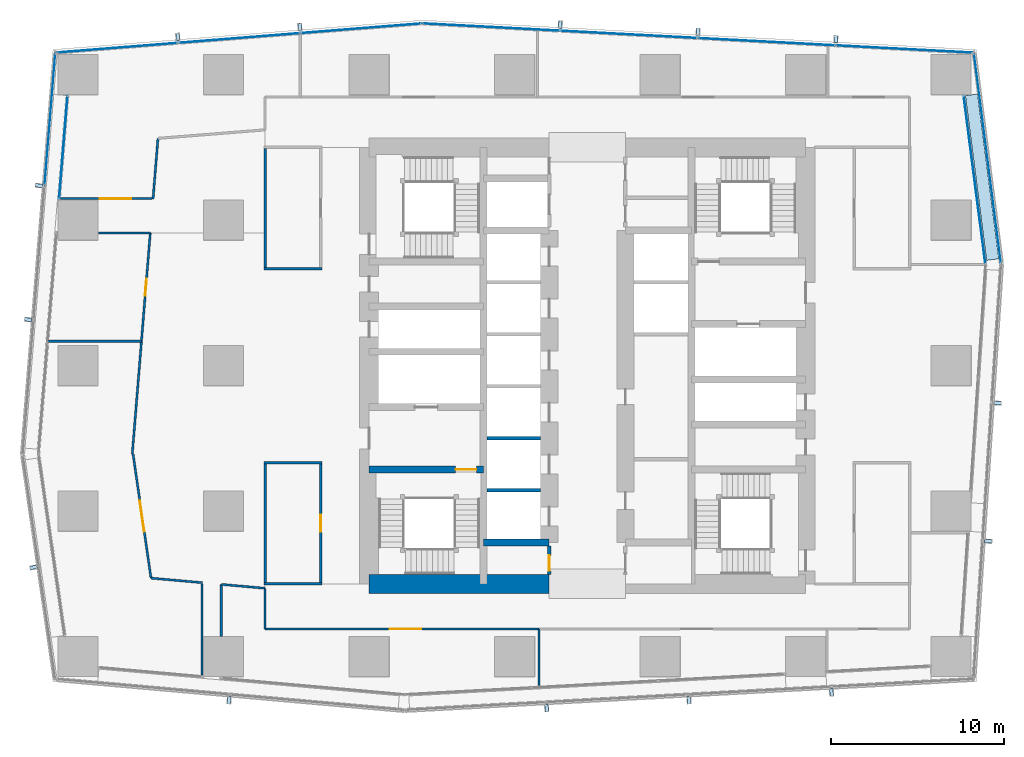
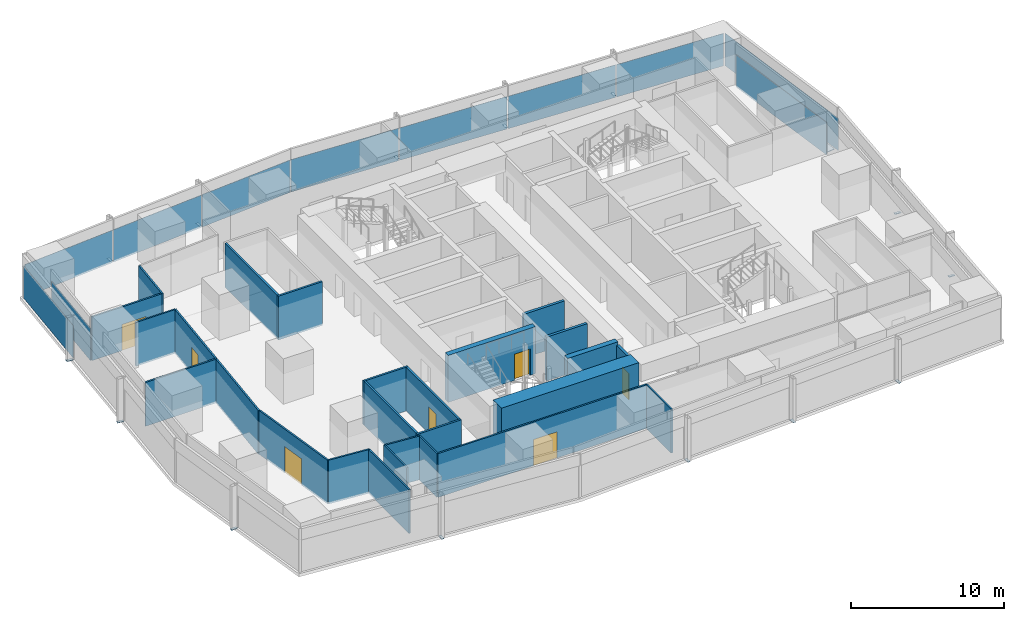
# One storey, part 21 of 32: 26 plates, 26 walls, 7 doors, 7 openings, 6 elements without a shape of their own.
"""IFC4 building model written with IfcOpenShell, lengths in metres."""

from ifc_helpers import new_model, si_unit, direction, frame, frame_2d, origin, origin_2d, place, context, subcontext, project, spatial, rectangle, extrude, material, layer, layer_set, type_object, element, fill, aggregate, save


model = new_model("IFC4")

# Units and contexts
model_context = context("Model", 3, precision=1e-05, world=origin(), true_north=direction((0.0, 1.0)))
body_context = subcontext(model_context, "Body", "Model", "MODEL_VIEW")
ifc_project = project(units=[si_unit("LENGTHUNIT", "METRE"), si_unit("AREAUNIT", "SQUARE_METRE"), si_unit("VOLUMEUNIT", "CUBIC_METRE"), si_unit("PLANEANGLEUNIT", "RADIAN"), si_unit("MASSUNIT", "GRAM", prefix="KILO")], contexts=[model_context])

# Site, building, storey
site_placement = place(None, origin())
site = spatial("IfcSite", under=ifc_project, at=site_placement, CompositionType="ELEMENT")
building_placement = place(site_placement, origin())
building = spatial("IfcBuilding", under=site, at=building_placement, Name="Rekha Terrace Tower", CompositionType="ELEMENT")
storey_placement = place(building_placement, frame((0.0, 0.0, 250.10009765625)))
storey = spatial("IfcBuildingStorey", under=building, at=storey_placement, Name="L63", CompositionType="ELEMENT", Elevation=250.10009765625)

# Plates
ifc_material_1 = material(Name="Steel S355 fixing plate bolted to the slab", Category="steel")
ifc_layer_1 = layer(ifc_material_1, 0.02001953125)
ifc_layer_set_1 = layer_set([ifc_layer_1], Name="Steel S355 fixing plate bolted to the slab")
plate_type_1 = type_object("IfcPlateType", Name="BL2 blade bracket plate 200 x 20", PredefinedType="USERDEFINED", material=ifc_layer_set_1)
for number, where, z_axis, x_axis, name in (
    (1, (17.1201171875, 14.285400390625, 0.0), (0.0, 0.0, 1.0), (-0.088522268879, -0.996074197996, 0.0), "Blade bracket"),
    (2, (35.447509765625, 13.8388671875, 0.0), (0.0, 0.0, 1.0), (0.054389024366, -0.99851982155, 0.0), "Blade bracket"),
    (3, (43.670654296875, 14.28662109375, 0.0), (0.0, 0.0, 1.0), (0.054389024366, -0.99851982155, 0.0), "Blade bracket"),
    (4, (51.893798828125, 14.734619140625, 0.0), (0.0, 0.0, 1.0), (0.054389024366, -0.99851982155, 0.0), "Blade bracket"),
    (5, (60.948974609375, 23.45849609375, 0.0), (0.0, 0.0, 1.0), (0.99780158396, -0.066272158908, 0.0), "Blade bracket"),
    (6, (61.478759765625, 31.436279296875, 0.0), (0.0, 0.0, 1.0), (0.99780158396, -0.066272158908, 0.0), "Blade bracket"),
    (7, (52.14208984375, 52.441162109375, 0.0), (0.0, 0.0, 1.0), (0.053083661621, 0.998590068481, 0.0), "Blade bracket"),
    (8, (44.19189453125, 52.86376953125, 0.0), (0.0, 0.0, 1.0), (0.053083661621, 0.998590068481, 0.0), "Blade bracket"),
    (9, (36.24169921875, 53.28662109375, 0.0), (0.0, 0.0, 1.0), (0.053083661621, 0.998590068481, 0.0), "Blade bracket"),
    (10, (21.1982421875, 53.146484375, 0.0), (0.0, 0.0, 1.0), (-0.079485623849, 0.996836012392, 0.0), "Blade bracket"),
    (11, (14.152587890625, 52.584716796875, 0.0), (0.0, 0.0, 1.0), (-0.079485623849, 0.996836012392, 0.0), "Blade bracket"),
    (12, (6.150390625, 43.99169921875, 0.0), (0.0, 0.0, 1.0), (-0.996708512156, 0.081068747348, 0.0), "Blade bracket"),
    (13, (5.521240234375, 36.25634765625, 0.0), (0.0, 0.0, 1.0), (-0.996708512156, 0.081068747348, 0.0), "Blade bracket"),
    (14, (5.833984375, 21.95068359375, 0.0), (0.0, 0.0, 1.0), (-0.989706910627, -0.143109157841, 0.0), "Blade bracket"),
):
    element("IfcPlate", number, at=place(storey_placement, frame(where, z_axis=z_axis, x_axis=x_axis)), inside=storey, type_object=plate_type_1, Name=name, ObjectType="BLADE BRACKET", PredefinedType="USERDEFINED", context=body_context, shape_type="SweptSolid", body=[
        extrude(rectangle(XDim=0.429931640625, YDim=0.199951171875, at=origin_2d()), origin(), (0.0, 0.0, 1.0), 0.02001953125),
    ])

# Curtain wall, plate
ifc_material_2 = material(Name="Aluminium framing", Category="aluminium")
curtain_wall_type_1 = type_object("IfcCurtainWallType", Name="CW1 double skin inner glazing", PredefinedType="USERDEFINED", material=ifc_material_2)
curtain_wall_1_placement = place(storey_placement, origin())
curtain_wall_1 = element("IfcCurtainWall", 15, at=curtain_wall_1_placement, inside=storey, type_object=curtain_wall_type_1, Name="CW1 double skin inner glazing", ObjectType="DOUBLE SKIN INNER GLAZING", PredefinedType="USERDEFINED")
ifc_material_3 = material(Name="Double-glazed low-e unit 32", Category="glass")
ifc_layer_2 = layer(ifc_material_3, 0.031982421875)
ifc_layer_set_2 = layer_set([ifc_layer_2], Name="Double-glazed low-e unit 32")
plate_type_2 = type_object("IfcPlateType", Name="CW1 jumbo vision panel, double-glazed low-e unit 32", PredefinedType="CURTAIN_PANEL", material=ifc_layer_set_2)
plate_1_placement = place(storey_placement, frame((60.153076171875, 44.3125, -0.000244140625), z_axis=(0.0, 0.0, 1.0), x_axis=(-0.127869904852, 0.991790949461, 0.0)))
plate_1 = element("IfcPlate", 16, at=plate_1_placement, type_object=plate_type_2, Name="CW1 panel 1.1", PredefinedType="CURTAIN_PANEL", context=body_context, shape_type="SweptSolid", body=[
    extrude(rectangle(XDim=9.76220703125, YDim=0.031982421875, at=origin_2d()), origin(), (0.0, 0.0, 1.0), 2.60009765625),
])
aggregate(curtain_wall_1, [plate_1])

curtain_wall_2_placement = place(storey_placement, origin())
curtain_wall_2 = element("IfcCurtainWall", 17, at=curtain_wall_2_placement, inside=storey, type_object=curtain_wall_type_1, Name="CW1 double skin inner glazing", ObjectType="DOUBLE SKIN INNER GLAZING", PredefinedType="USERDEFINED")
plate_2_placement = place(storey_placement, frame((7.553955078125, 46.199951171875, -0.000244140625), z_axis=(0.0, 0.0, 1.0), x_axis=(-0.081067906903, -0.996708580514, 0.0)))
plate_2 = element("IfcPlate", 18, at=plate_2_placement, type_object=plate_type_2, Name="CW1 panel 1.1", PredefinedType="CURTAIN_PANEL", context=body_context, shape_type="SweptSolid", body=[
    extrude(rectangle(XDim=5.9345703125, YDim=0.031982421875, at=origin_2d()), origin(), (0.0, 0.0, 1.0), 2.60009765625),
])
aggregate(curtain_wall_2, [plate_2])

curtain_wall_type_2 = type_object("IfcCurtainWallType", Name="CW2 double skin outer glazing", PredefinedType="USERDEFINED", material=ifc_material_2)
curtain_wall_3_placement = place(storey_placement, origin())
curtain_wall_3 = element("IfcCurtainWall", 19, at=curtain_wall_3_placement, inside=storey, type_object=curtain_wall_type_2, Name="CW2 double skin outer glazing", ObjectType="DOUBLE SKIN OUTER GLAZING", PredefinedType="USERDEFINED")
ifc_material_4 = material(Name="Toughened single glazing 12", Category="glass")
ifc_layer_3 = layer(ifc_material_4, 0.011962890625)
ifc_layer_set_3 = layer_set([ifc_layer_3], Name="Toughened single glazing 12")
plate_type_3 = type_object("IfcPlateType", Name="CW2 jumbo vision panel, toughened single glazing 12", PredefinedType="CURTAIN_PANEL", material=ifc_layer_set_3)
plate_3_placement = place(storey_placement, frame((60.89892578125, 45.566162109375, -0.000244140625), z_axis=(0.0, 0.0, 1.0), x_axis=(-0.12786990487, 0.991790949459, 0.0)))
plate_3 = element("IfcPlate", 20, at=plate_3_placement, type_object=plate_type_3, Name="CW2 panel 1.1", PredefinedType="CURTAIN_PANEL", context=body_context, shape_type="SweptSolid", body=[
    extrude(rectangle(XDim=12.203857421875, YDim=0.011962890625, at=origin_2d()), origin(), (0.0, 0.0, 1.0), 2.60009765625),
])
aggregate(curtain_wall_3, [plate_3])

curtain_wall_4_placement = place(storey_placement, origin())
curtain_wall_4 = element("IfcCurtainWall", 21, at=curtain_wall_4_placement, inside=storey, type_object=curtain_wall_type_2, Name="CW2 double skin outer glazing", ObjectType="DOUBLE SKIN OUTER GLAZING", PredefinedType="USERDEFINED")
plate_4_placement = place(storey_placement, frame((6.7822265625, 47.813720703125, -0.000244140625), z_axis=(0.0, 0.0, 1.0), x_axis=(-0.081067906816, -0.996708580521, 0.0)))
plate_4 = element("IfcPlate", 22, at=plate_4_placement, type_object=plate_type_3, Name="CW2 panel 1.1", PredefinedType="CURTAIN_PANEL", context=body_context, shape_type="SweptSolid", body=[
    extrude(rectangle(XDim=7.640869140625, YDim=0.011962890625, at=origin_2d()), origin(), (0.0, 0.0, 1.0), 2.60009765625),
])
aggregate(curtain_wall_4, [plate_4])

# Curtain wall, plates
curtain_wall_type_3 = type_object("IfcCurtainWallType", Name="CW3 north unitised glazing", PredefinedType="USERDEFINED", material=ifc_material_2)
curtain_wall_5_placement = place(storey_placement, origin())
curtain_wall_5 = element("IfcCurtainWall", 23, at=curtain_wall_5_placement, inside=storey, type_object=curtain_wall_type_3, Name="CW3 unitised curtain wall", ObjectType="UNITISED CURTAIN WALL", PredefinedType="USERDEFINED")
ifc_material_5 = material(Name="Double-glazed unit 28", Category="glass")
ifc_layer_4 = layer(ifc_material_5, 0.028076171875)
ifc_layer_set_4 = layer_set([ifc_layer_4], Name="Double-glazed unit 28")
plate_type_4 = type_object("IfcPlateType", Name="CW3 jumbo vision panel, double-glazed unit 28", PredefinedType="CURTAIN_PANEL", material=ifc_layer_set_4)
plate_5_placement = place(storey_placement, frame((56.080322265625, 51.871337890625, -0.000244140625), z_axis=(0.0, 0.0, 1.0), x_axis=(-0.998590089005, 0.053083275524, 0.0)))
plate_5 = element("IfcPlate", 24, at=plate_5_placement, type_object=plate_type_4, Name="CW3 panel 1.1", PredefinedType="CURTAIN_PANEL", context=body_context, shape_type="SweptSolid", body=[
    extrude(rectangle(XDim=7.856201171875, YDim=0.028076171875, at=origin_2d()), origin(), (0.0, 0.0, 1.0), 2.60009765625),
])
plate_6_placement = place(storey_placement, frame((48.14794921875, 52.29296875, -0.000244140625), z_axis=(0.0, 0.0, 1.0), x_axis=(-0.998590089005, 0.053083275524, 0.0)))
plate_6 = element("IfcPlate", 25, at=plate_6_placement, type_object=plate_type_4, Name="CW3 panel 2.1", PredefinedType="CURTAIN_PANEL", context=body_context, shape_type="SweptSolid", body=[
    extrude(rectangle(XDim=7.891357421875, YDim=0.028076171875, at=origin_2d()), origin(), (0.0, 0.0, 1.0), 2.60009765625),
])
plate_7_placement = place(storey_placement, frame((40.19775390625, 52.715576171875, -0.000244140625), z_axis=(0.0, 0.0, 1.0), x_axis=(-0.998590089005, 0.053083275524, 0.0)))
plate_7 = element("IfcPlate", 26, at=plate_7_placement, type_object=plate_type_4, Name="CW3 panel 3.1", PredefinedType="CURTAIN_PANEL", context=body_context, shape_type="SweptSolid", body=[
    extrude(rectangle(XDim=7.891357421875, YDim=0.028076171875, at=origin_2d()), origin(), (0.0, 0.0, 1.0), 2.60009765625),
])
plate_8_placement = place(storey_placement, frame((32.230224609375, 53.13916015625, -0.000244140625), z_axis=(0.0, 0.0, 1.0), x_axis=(-0.998590089005, 0.053083275524, 0.0)))
plate_8 = element("IfcPlate", 27, at=plate_8_placement, type_object=plate_type_4, Name="CW3 panel 4.1", PredefinedType="CURTAIN_PANEL", context=body_context, shape_type="SweptSolid", body=[
    extrude(rectangle(XDim=7.92626953125, YDim=0.028076171875, at=origin_2d()), origin(), (0.0, 0.0, 1.0), 2.60009765625),
])
aggregate(curtain_wall_5, [plate_5, plate_6, plate_7, plate_8])

curtain_wall_6_placement = place(storey_placement, origin())
curtain_wall_6 = element("IfcCurtainWall", 28, at=curtain_wall_6_placement, inside=storey, type_object=curtain_wall_type_3, Name="CW3 unitised curtain wall", ObjectType="UNITISED CURTAIN WALL", PredefinedType="USERDEFINED")
plate_9_placement = place(storey_placement, frame((24.732421875, 53.0673828125, -0.000244140625), z_axis=(0.0, 0.0, 1.0), x_axis=(-0.996836058026, -0.07948505154, 0.0)))
plate_9 = element("IfcPlate", 29, at=plate_9_placement, type_object=plate_type_4, Name="CW3 panel 1.1", PredefinedType="CURTAIN_PANEL", context=body_context, shape_type="SweptSolid", body=[
    extrude(rectangle(XDim=6.963134765625, YDim=0.028076171875, at=origin_2d()), origin(), (0.0, 0.0, 1.0), 2.60009765625),
])
plate_10_placement = place(storey_placement, frame((17.7041015625, 52.5068359375, -0.000244140625), z_axis=(0.0, 0.0, 1.0), x_axis=(-0.996836058026, -0.07948505154, 0.0)))
plate_10 = element("IfcPlate", 30, at=plate_10_placement, type_object=plate_type_4, Name="CW3 panel 2.1", PredefinedType="CURTAIN_PANEL", context=body_context, shape_type="SweptSolid", body=[
    extrude(rectangle(XDim=6.998046875, YDim=0.028076171875, at=origin_2d()), origin(), (0.0, 0.0, 1.0), 2.60009765625),
])
plate_11_placement = place(storey_placement, frame((10.67578125, 51.946533203125, -0.000244140625), z_axis=(0.0, 0.0, 1.0), x_axis=(-0.996836058026, -0.07948505154, 0.0)))
plate_11 = element("IfcPlate", 31, at=plate_11_placement, type_object=plate_type_4, Name="CW3 panel 3.1", PredefinedType="CURTAIN_PANEL", context=body_context, shape_type="SweptSolid", body=[
    extrude(rectangle(XDim=6.963134765625, YDim=0.028076171875, at=origin_2d()), origin(), (0.0, 0.0, 1.0), 2.60009765625),
])
aggregate(curtain_wall_6, [plate_9, plate_10, plate_11])

# Plate
ifc_material_6 = material(Name="Galvanised steel open grating", Category="steel")
ifc_layer_5 = layer(ifc_material_6, 0.050048828125)
ifc_layer_set_5 = layer_set([ifc_layer_5], Name="Galvanised steel open grating")
plate_type_5 = type_object("IfcPlateType", Name="GT1 cavity walkway grating 50", PredefinedType="USERDEFINED", material=ifc_layer_set_5)
plate_12_placement = place(storey_placement, frame((60.585693359375, 44.4755859375, 0.0), z_axis=(0.0, 0.0, 1.0), x_axis=(-0.127869904852, 0.991790949461, 0.0)))
element("IfcPlate", 32, at=plate_12_placement, inside=storey, type_object=plate_type_5, Name="Cavity walkway grating", ObjectType="CAVITY WALKWAY GRATING", PredefinedType="USERDEFINED", context=body_context, shape_type="SweptSolid", body=[
    extrude(rectangle(XDim=9.593017578125, YDim=0.705078125, at=origin_2d()), origin(), (0.0, 0.0, 1.0), 0.050048828125),
])

# Wall
ifc_material_7 = material(Name="Concrete M60", Category="concrete")
ifc_layer_6 = layer(ifc_material_7, 0.39990234375)
ifc_layer_set_6 = layer_set([ifc_layer_6], Name="Concrete M60")
wall_type_1 = type_object("IfcWallType", Name="CI4 400 core internal shear wall", PredefinedType="SHEAR", material=ifc_layer_set_6)
wall_1_placement = place(storey_placement, frame((31.800048828125, 23.39990234375, 0.0), z_axis=(0.0, 0.0, 1.0), x_axis=(1.0, 0.0, 0.0)))
element("IfcWall", 33, at=wall_1_placement, inside=storey, type_object=wall_type_1, Name="Core wall Y234W L63", PredefinedType="SHEAR", context=body_context, shape_type="SweptSolid", body=[
    extrude(rectangle(XDim=3.800048828125, YDim=0.39990234375, at=frame_2d((1.89990234375, 0.0))), origin(), (0.0, 0.0, 1.0), 3.75),
])

# Wall, opening, door
wall_2_placement = place(storey_placement, frame((25.199951171875, 27.60009765625, 0.0), z_axis=(0.0, 0.0, 1.0), x_axis=(1.0, 0.0, 0.0)))
wall_2 = element("IfcWall", 34, at=wall_2_placement, inside=storey, type_object=wall_type_1, Name="Core wall Y276W L63", PredefinedType="SHEAR", context=body_context, shape_type="SweptSolid", body=[
    extrude(rectangle(XDim=6.60009765625, YDim=0.39990234375, at=frame_2d((3.300048828125, 0.0))), origin(), (0.0, 0.0, 1.0), 3.75),
])
opening_1_placement = place(wall_2_placement, frame((5.0, 0.0, 0.0)))
opening_1 = element("IfcOpeningElement", 35, at=opening_1_placement, cuts=wall_2, Name="Opening D1", PredefinedType="OPENING", context=body_context, shape_type="SweptSolid", body=[
    extrude(rectangle(XDim=1.199951171875, YDim=2.10009765625, at=frame_2d((0.60009765625, 1.050048828125))), frame((0.0, 0.2099609375, 0.0), z_axis=(0.0, -1.0, 0.0), x_axis=(1.0, 0.0, 0.0)), (0.0, 0.0, 1.0), 0.419921875),
])
ifc_material_8 = material(Name="Steel fire door", Category="steel")
door_type_1 = type_object("IfcDoorType", Name="D1 1200x2100 stair fire door", OperationType="SINGLE_SWING_RIGHT", PredefinedType="DOOR", material=ifc_material_8)
door_1_placement = place(opening_1_placement, origin())
door_1 = element("IfcDoor", 36, at=door_1_placement, inside=storey, type_object=door_type_1, Name="Stair ST1 door L63", OperationType="SINGLE_SWING_RIGHT", OverallHeight=2.10009765625, OverallWidth=1.199951171875, PredefinedType="DOOR", context=body_context, shape_type="SweptSolid", body=[
    extrude(rectangle(XDim=1.199951171875, YDim=2.10009765625, at=frame_2d((0.60009765625, 1.050048828125))), frame((0.0, 0.02490234375, 0.0), z_axis=(0.0, -1.0, 0.0), x_axis=(1.0, 0.0, 0.0)), (0.0, 0.0, 1.0), 0.050048828125),
])
fill(opening_1, door_1)

# Walls
ifc_layer_7 = layer(ifc_material_7, 1.10009765625)
ifc_layer_set_7 = layer_set([ifc_layer_7], Name="Concrete M60")
wall_type_2 = type_object("IfcWallType", Name="SW4 1100 core outer shear wall", PredefinedType="SHEAR", material=ifc_layer_set_7)
wall_3_placement = place(storey_placement, frame((25.199951171875, 21.0, 0.0), z_axis=(0.0, 0.0, 1.0), x_axis=(1.0, 0.0, 0.0)))
element("IfcWall", 37, at=wall_3_placement, inside=storey, type_object=wall_type_2, Name="Core wall S1 L63", PredefinedType="SHEAR", context=body_context, shape_type="SweptSolid", body=[
    extrude(rectangle(XDim=10.400146484375, YDim=1.10009765625, at=frame_2d((5.2001953125, 0.0))), origin(), (0.0, 0.0, 1.0), 3.75),
])
ifc_material_9 = material(Name="Concrete block masonry, 1 hour", Category="masonry")
ifc_layer_8 = layer(ifc_material_9, 0.14990234375)
ifc_layer_set_8 = layer_set([ifc_layer_8], Name="Concrete block masonry, 1 hour")
wall_type_3 = type_object("IfcWallType", Name="WP2 150 tenancy partition", PredefinedType="PARTITIONING", material=ifc_layer_set_8)
wall_4_placement = place(storey_placement, frame((19.125, 39.199951171875, 0.0), z_axis=(0.0, 0.0, 1.0), x_axis=(1.0, 0.0, 0.0)))
element("IfcWall", 38, at=wall_4_placement, inside=storey, type_object=wall_type_3, Name="Women's WC wall L63", PredefinedType="PARTITIONING", context=body_context, shape_type="SweptSolid", body=[
    extrude(rectangle(XDim=3.35009765625, YDim=0.14990234375, at=frame_2d((1.675048828125, 0.0))), origin(), (0.0, 0.0, 1.0), 3.5),
])
wall_5_placement = place(storey_placement, frame((19.199951171875, 39.27490234375, 0.0), z_axis=(0.0, 0.0, 1.0), x_axis=(0.0, 1.0, 0.0)))
element("IfcWall", 39, at=wall_5_placement, inside=storey, type_object=wall_type_3, Name="Women's WC wall L63", PredefinedType="PARTITIONING", context=body_context, shape_type="SweptSolid", body=[
    extrude(rectangle(XDim=6.85009765625, YDim=0.14990234375, at=frame_2d((3.425048828125, 0.0))), origin(), (0.0, 0.0, 1.0), 3.5),
])
for number, where, z_axis, x_axis, name in (
    (40, (19.125, 21.0, 0.0), (0.0, 0.0, 1.0), (1.0, 0.0, 0.0), "Men's WC wall L63"),
    (41, (19.125, 28.0, 0.0), (0.0, 0.0, 1.0), (1.0, 0.0, 0.0), "Men's WC wall L63"),
):
    element("IfcWall", number, at=place(storey_placement, frame(where, z_axis=z_axis, x_axis=x_axis)), inside=storey, type_object=wall_type_3, Name=name, PredefinedType="PARTITIONING", context=body_context, shape_type="SweptSolid", body=[
        extrude(rectangle(XDim=3.35009765625, YDim=0.14990234375, at=frame_2d((1.675048828125, 0.0))), origin(), (0.0, 0.0, 1.0), 3.5),
    ])
wall_6_placement = place(storey_placement, frame((19.199951171875, 21.074951171875, 0.0), z_axis=(0.0, 0.0, 1.0), x_axis=(0.0, 1.0, 0.0)))
element("IfcWall", 42, at=wall_6_placement, inside=storey, type_object=wall_type_3, Name="Men's WC wall L63", PredefinedType="PARTITIONING", context=body_context, shape_type="SweptSolid", body=[
    extrude(rectangle(XDim=6.85009765625, YDim=0.14990234375, at=frame_2d((3.425048828125, 0.0))), origin(), (0.0, 0.0, 1.0), 3.5),
])

# Wall, opening, door
wall_7_placement = place(storey_placement, frame((22.39990234375, 21.074951171875, 0.0), z_axis=(0.0, 0.0, 1.0), x_axis=(0.0, 1.0, 0.0)))
wall_7 = element("IfcWall", 43, at=wall_7_placement, inside=storey, type_object=wall_type_3, Name="Men's WC wall L63", PredefinedType="PARTITIONING", context=body_context, shape_type="SweptSolid", body=[
    extrude(rectangle(XDim=6.85009765625, YDim=0.14990234375, at=frame_2d((3.425048828125, 0.0))), origin(), (0.0, 0.0, 1.0), 3.5),
])
opening_2_placement = place(wall_7_placement, frame((2.925048828125, 0.0, 0.0)))
opening_2 = element("IfcOpeningElement", 44, at=opening_2_placement, cuts=wall_7, Name="Opening D3", PredefinedType="OPENING", context=body_context, shape_type="SweptSolid", body=[
    extrude(rectangle(XDim=1.0, YDim=2.10009765625, at=frame_2d((0.5, 1.050048828125))), frame((0.0, 0.0849609375, 0.0), z_axis=(0.0, -1.0, 0.0), x_axis=(1.0, 0.0, 0.0)), (0.0, 0.0, 1.0), 0.169921875),
])
ifc_material_10 = material(Name="Laminated timber fire door", Category="wood")
door_type_2 = type_object("IfcDoorType", Name="D3 1000x2100 WC door", OperationType="SINGLE_SWING_LEFT", PredefinedType="DOOR", material=ifc_material_10)
door_2_placement = place(opening_2_placement, origin())
door_2 = element("IfcDoor", 45, at=door_2_placement, inside=storey, type_object=door_type_2, Name="Door men's wc L63", OperationType="SINGLE_SWING_LEFT", OverallHeight=2.10009765625, OverallWidth=1.0, PredefinedType="DOOR", context=body_context, shape_type="SweptSolid", body=[
    extrude(rectangle(XDim=1.0, YDim=2.10009765625, at=frame_2d((0.5, 1.050048828125))), frame((0.0, 0.02490234375, 0.0), z_axis=(0.0, -1.0, 0.0), x_axis=(1.0, 0.0, 0.0)), (0.0, 0.0, 1.0), 0.050048828125),
])
fill(opening_2, door_2)

ifc_material_11 = material(Name="Two layers of fire-rated gypsum board each side on steel studs, acoustic quilt, 1 hour", Category="steel")
ifc_layer_9 = layer(ifc_material_11, 0.125)
ifc_layer_set_9 = layer_set([ifc_layer_9], Name="Two layers of fire-rated gypsum board each side on steel studs, acoustic quilt, 1 hour")
wall_type_4 = type_object("IfcWallType", Name="WP3 125 office partition", PredefinedType="PARTITIONING", material=ifc_layer_set_9)
wall_8_placement = place(storey_placement, frame((12.6689453125, 43.241943359375, 0.0), z_axis=(0.0, 0.0, 1.0), x_axis=(-1.0, 0.0, 0.0)))
wall_8 = element("IfcWall", 46, at=wall_8_placement, inside=storey, type_object=wall_type_4, Name="Partition L63-06", PredefinedType="PARTITIONING", context=body_context, shape_type="SweptSolid", body=[
    extrude(rectangle(XDim=5.27490234375, YDim=0.125, at=frame_2d((2.637451171875, 0.0))), origin(), (0.0, 0.0, 1.0), 3.5),
])
opening_3_placement = place(wall_8_placement, frame((1.2080078125, 0.0, 0.0)))
opening_3 = element("IfcOpeningElement", 47, at=opening_3_placement, cuts=wall_8, Name="Opening D8", PredefinedType="OPENING", context=body_context, shape_type="SweptSolid", body=[
    extrude(rectangle(XDim=1.800048828125, YDim=2.10009765625, at=frame_2d((0.89990234375, 1.050048828125))), frame((0.0, 0.072509765625, 0.0), z_axis=(0.0, -1.0, 0.0), x_axis=(1.0, 0.0, 0.0)), (0.0, 0.0, 1.0), 0.14501953125),
])
ifc_material_12 = material(Name="Timber fire door", Category="wood")
door_type_3 = type_object("IfcDoorType", Name="D8 1800x2100 double leaf door", OperationType="DOUBLE_DOOR_SINGLE_SWING", PredefinedType="DOOR", material=ifc_material_12)
door_3_placement = place(opening_3_placement, origin())
door_3 = element("IfcDoor", 48, at=door_3_placement, inside=storey, type_object=door_type_3, Name="Door business lounge L63", OperationType="DOUBLE_DOOR_SINGLE_SWING", OverallHeight=2.10009765625, OverallWidth=1.800048828125, PredefinedType="DOOR", context=body_context, shape_type="SweptSolid", body=[
    extrude(rectangle(XDim=1.800048828125, YDim=2.10009765625, at=frame_2d((0.89990234375, 1.050048828125))), frame((0.0, 0.02490234375, 0.0), z_axis=(0.0, -1.0, 0.0), x_axis=(1.0, 0.0, 0.0)), (0.0, 0.0, 1.0), 0.050048828125),
])
fill(opening_3, door_3)

# Walls
wall_9_placement = place(storey_placement, frame((13.013916015625, 46.716064453125, 0.0), z_axis=(0.0, 0.0, 1.0), x_axis=(-0.081017185094, -0.996712704705, 0.0)))
element("IfcWall", 49, at=wall_9_placement, inside=storey, type_object=wall_type_4, Name="Partition L63-06", PredefinedType="PARTITIONING", context=body_context, shape_type="SweptSolid", body=[
    extrude(rectangle(XDim=3.5166015625, YDim=0.125, at=frame_2d((1.75830078125, 0.0))), origin(), (0.0, 0.0, 1.0), 3.5),
])
wall_10_placement = place(storey_placement, frame((35.00390625, 15.0869140625, 0.0), z_axis=(0.0, 0.0, 1.0), x_axis=(0.0, 1.0, 0.0)))
element("IfcWall", 50, at=wall_10_placement, inside=storey, type_object=wall_type_4, Name="Partition L63-07", PredefinedType="PARTITIONING", context=body_context, shape_type="SweptSolid", body=[
    extrude(rectangle(XDim=3.31298828125, YDim=0.125, at=frame_2d((1.656494140625, 0.0))), origin(), (0.0, 0.0, 1.0), 3.5),
])

# Wall, opening, door
wall_11_placement = place(storey_placement, frame((12.569091796875, 41.24609375, 0.0), z_axis=(0.0, 0.0, 1.0), x_axis=(-0.081163543691, -0.996700797218, 0.0)))
wall_11 = element("IfcWall", 51, at=wall_11_placement, inside=storey, type_object=wall_type_4, Name="Partition L63-09", PredefinedType="PARTITIONING", context=body_context, shape_type="SweptSolid", body=[
    extrude(rectangle(XDim=6.259765625, YDim=0.125, at=frame_2d((3.1298828125, 0.0))), origin(), (0.0, 0.0, 1.0), 3.5),
])
opening_4_placement = place(wall_11_placement, frame((2.6298828125, 0.0, 0.0)))
opening_4 = element("IfcOpeningElement", 52, at=opening_4_placement, cuts=wall_11, Name="Opening D9", PredefinedType="OPENING", context=body_context, shape_type="SweptSolid", body=[
    extrude(rectangle(XDim=1.0, YDim=2.10009765625, at=frame_2d((0.5, 1.050048828125))), frame((0.0, 0.072509765625, 0.0), z_axis=(0.0, -1.0, 0.0), x_axis=(1.0, 0.0, 0.0)), (0.0, 0.0, 1.0), 0.14501953125),
])
door_type_4 = type_object("IfcDoorType", Name="D9 1000x2100 office door", OperationType="SINGLE_SWING_LEFT", PredefinedType="DOOR", material=ifc_material_12)
door_4_placement = place(opening_4_placement, origin())
door_4 = element("IfcDoor", 53, at=door_4_placement, inside=storey, type_object=door_type_4, Name="Door executive dining L63", OperationType="SINGLE_SWING_LEFT", OverallHeight=2.10009765625, OverallWidth=1.0, PredefinedType="DOOR", context=body_context, shape_type="SweptSolid", body=[
    extrude(rectangle(XDim=1.0, YDim=2.10009765625, at=frame_2d((0.5, 1.050048828125))), frame((0.0, 0.02490234375, 0.0), z_axis=(0.0, -1.0, 0.0), x_axis=(1.0, 0.0, 0.0)), (0.0, 0.0, 1.0), 0.050048828125),
])
fill(opening_4, door_4)

# Walls
wall_12_placement = place(storey_placement, frame((12.06103515625, 35.007080078125, 0.0), z_axis=(0.0, 0.0, 1.0), x_axis=(-1.0, 0.0, 0.0)))
element("IfcWall", 54, at=wall_12_placement, inside=storey, type_object=wall_type_4, Name="Partition L63-09", PredefinedType="PARTITIONING", context=body_context, shape_type="SweptSolid", body=[
    extrude(rectangle(XDim=5.366943359375, YDim=0.125, at=frame_2d((2.68359375, 0.0))), origin(), (0.0, 0.0, 1.0), 3.5),
])
wall_13_placement = place(storey_placement, frame((9.570068359375, 41.24609375, 0.0), z_axis=(0.0, 0.0, 1.0), x_axis=(1.0, 0.0, 0.0)))
element("IfcWall", 55, at=wall_13_placement, inside=storey, type_object=wall_type_4, Name="Partition L63-09", PredefinedType="PARTITIONING", context=body_context, shape_type="SweptSolid", body=[
    extrude(rectangle(XDim=2.9990234375, YDim=0.125, at=frame_2d((1.49951171875, 0.0))), origin(), (0.0, 0.0, 1.0), 3.5),
])
wall_14_placement = place(storey_placement, frame((12.06103515625, 35.006103515625, 0.0), z_axis=(0.0, 0.0, 1.0), x_axis=(-0.081085632838, -0.996707138606, 0.0)))
element("IfcWall", 56, at=wall_14_placement, inside=storey, type_object=wall_type_4, Name="Partition L63-10", PredefinedType="PARTITIONING", context=body_context, shape_type="SweptSolid", body=[
    extrude(rectangle(XDim=6.53662109375, YDim=0.125, at=frame_2d((3.268310546875, 0.0))), origin(), (0.0, 0.0, 1.0), 3.5),
])

# Wall, opening, door
wall_15_placement = place(storey_placement, frame((11.577880859375, 28.487060546875, 0.0), z_axis=(0.0, 0.0, 1.0), x_axis=(0.143071412146, -0.989712367825, 0.0)))
wall_15 = element("IfcWall", 57, at=wall_15_placement, inside=storey, type_object=wall_type_4, Name="Partition L63-10", PredefinedType="PARTITIONING", context=body_context, shape_type="SweptSolid", body=[
    extrude(rectangle(XDim=7.228515625, YDim=0.125, at=frame_2d((3.6142578125, 0.0))), origin(), (0.0, 0.0, 1.0), 3.5),
])
opening_5_placement = place(wall_15_placement, frame((2.7119140625, 0.0, 0.0)))
opening_5 = element("IfcOpeningElement", 58, at=opening_5_placement, cuts=wall_15, Name="Opening D8", PredefinedType="OPENING", context=body_context, shape_type="SweptSolid", body=[
    extrude(rectangle(XDim=1.800048828125, YDim=2.10009765625, at=frame_2d((0.89990234375, 1.050048828125))), frame((0.0, 0.072509765625, 0.0), z_axis=(0.0, -1.0, 0.0), x_axis=(1.0, 0.0, 0.0)), (0.0, 0.0, 1.0), 0.14501953125),
])
door_5_placement = place(opening_5_placement, origin())
door_5 = element("IfcDoor", 59, at=door_5_placement, inside=storey, type_object=door_type_3, Name="Door business lounge L63", OperationType="DOUBLE_DOOR_SINGLE_SWING", OverallHeight=2.10009765625, OverallWidth=1.800048828125, PredefinedType="DOOR", context=body_context, shape_type="SweptSolid", body=[
    extrude(rectangle(XDim=1.800048828125, YDim=2.10009765625, at=frame_2d((0.89990234375, 1.050048828125))), frame((0.0, 0.02490234375, 0.0), z_axis=(0.0, -1.0, 0.0), x_axis=(1.0, 0.0, 0.0)), (0.0, 0.0, 1.0), 0.050048828125),
])
fill(opening_5, door_5)

# Walls
wall_16_placement = place(storey_placement, frame((12.612060546875, 21.3330078125, 0.0), z_axis=(0.0, 0.0, 1.0), x_axis=(0.996064792479, -0.088628038366, 0.0)))
element("IfcWall", 60, at=wall_16_placement, inside=storey, type_object=wall_type_4, Name="Partition L63-10", PredefinedType="PARTITIONING", context=body_context, shape_type="SweptSolid", body=[
    extrude(rectangle(XDim=2.98876953125, YDim=0.125, at=frame_2d((1.494384765625, 0.0))), origin(), (0.0, 0.0, 1.0), 3.5),
])
wall_17_placement = place(storey_placement, frame((15.55810546875, 21.008056640625, 0.0), z_axis=(0.0, 0.0, 1.0), x_axis=(0.0, -1.0, 0.0)))
element("IfcWall", 61, at=wall_17_placement, inside=storey, type_object=wall_type_4, Name="Partition L63-10", PredefinedType="PARTITIONING", context=body_context, shape_type="SweptSolid", body=[
    extrude(rectangle(XDim=5.278076171875, YDim=0.125, at=frame_2d((2.63916015625, 0.0))), origin(), (0.0, 0.0, 1.0), 3.5),
])
wall_18_placement = place(storey_placement, frame((16.666015625, 17.969970703125, 0.0), z_axis=(0.0, 0.0, 1.0), x_axis=(0.0, 1.0, 0.0)))
element("IfcWall", 62, at=wall_18_placement, inside=storey, type_object=wall_type_4, Name="Partition L63-11", PredefinedType="PARTITIONING", context=body_context, shape_type="SweptSolid", body=[
    extrude(rectangle(XDim=3.001953125, YDim=0.125, at=frame_2d((1.5009765625, 0.0))), origin(), (0.0, 0.0, 1.0), 3.5),
])
wall_19_placement = place(storey_placement, frame((16.666015625, 20.971923828125, 0.0), z_axis=(0.0, 0.0, 1.0), x_axis=(0.996085983525, -0.08838955495, 0.0)))
element("IfcWall", 63, at=wall_19_placement, inside=storey, type_object=wall_type_4, Name="Partition L63-11", PredefinedType="PARTITIONING", context=body_context, shape_type="SweptSolid", body=[
    extrude(rectangle(XDim=2.5439453125, YDim=0.125, at=frame_2d((1.27197265625, 0.0))), origin(), (0.0, 0.0, 1.0), 3.5),
])
wall_20_placement = place(storey_placement, frame((19.199951171875, 20.7470703125, 0.0), z_axis=(0.0, 0.0, 1.0), x_axis=(0.0, -1.0, 0.0)))
element("IfcWall", 64, at=wall_20_placement, inside=storey, type_object=wall_type_4, Name="Partition L63-11", PredefinedType="PARTITIONING", context=body_context, shape_type="SweptSolid", body=[
    extrude(rectangle(XDim=2.34716796875, YDim=0.125, at=frame_2d((1.173583984375, 0.0))), origin(), (0.0, 0.0, 1.0), 3.5),
])

# Wall, opening, door
wall_21_placement = place(storey_placement, frame((19.199951171875, 18.39990234375, 0.0), z_axis=(0.0, 0.0, 1.0), x_axis=(1.0, 0.0, 0.0)))
wall_21 = element("IfcWall", 65, at=wall_21_placement, inside=storey, type_object=wall_type_4, Name="Partition L63-11", PredefinedType="PARTITIONING", context=body_context, shape_type="SweptSolid", body=[
    extrude(rectangle(XDim=15.802978515625, YDim=0.125, at=frame_2d((7.9013671875, 0.0))), origin(), (0.0, 0.0, 1.0), 3.5),
])
opening_6_placement = place(wall_21_placement, frame((7.200927734375, 0.0, 0.0)))
opening_6 = element("IfcOpeningElement", 66, at=opening_6_placement, cuts=wall_21, Name="Opening D8", PredefinedType="OPENING", context=body_context, shape_type="SweptSolid", body=[
    extrude(rectangle(XDim=1.800048828125, YDim=2.10009765625, at=frame_2d((0.89990234375, 1.050048828125))), frame((0.0, 0.072509765625, 0.0), z_axis=(0.0, -1.0, 0.0), x_axis=(1.0, 0.0, 0.0)), (0.0, 0.0, 1.0), 0.14501953125),
])
door_6_placement = place(opening_6_placement, origin())
door_6 = element("IfcDoor", 67, at=door_6_placement, inside=storey, type_object=door_type_3, Name="Door breakout lounge L63", OperationType="DOUBLE_DOOR_SINGLE_SWING", OverallHeight=2.10009765625, OverallWidth=1.800048828125, PredefinedType="DOOR", context=body_context, shape_type="SweptSolid", body=[
    extrude(rectangle(XDim=1.800048828125, YDim=2.10009765625, at=frame_2d((0.89990234375, 1.050048828125))), frame((0.0, 0.02490234375, 0.0), z_axis=(0.0, -1.0, 0.0), x_axis=(1.0, 0.0, 0.0)), (0.0, 0.0, 1.0), 0.050048828125),
])
fill(opening_6, door_6)

# Walls
ifc_material_13 = material(Name="Solid concrete block masonry, 2 hour", Category="masonry")
ifc_layer_10 = layer(ifc_material_13, 0.199951171875)
ifc_layer_set_10 = layer_set([ifc_layer_10], Name="Solid concrete block masonry, 2 hour")
wall_type_5 = type_object("IfcWallType", Name="WS1 200 stair and shaft enclosure", PredefinedType="PARTITIONING", material=ifc_layer_set_10)
for number, where, z_axis, x_axis, name in (
    (68, (32.0, 26.39990234375, 0.0), (0.0, 0.0, 1.0), (1.0, 0.0, 0.0), "Lift shaft divider L63"),
    (69, (32.0, 29.39990234375, 0.0), (0.0, 0.0, 1.0), (1.0, 0.0, 0.0), "Lift shaft divider L63"),
):
    element("IfcWall", number, at=place(storey_placement, frame(where, z_axis=z_axis, x_axis=x_axis)), inside=storey, type_object=wall_type_5, Name=name, PredefinedType="PARTITIONING", context=body_context, shape_type="SweptSolid", body=[
        extrude(rectangle(XDim=3.10009765625, YDim=0.199951171875, at=frame_2d((1.550048828125, 0.0))), origin(), (0.0, 0.0, 1.0), 3.5),
    ])

# Wall, opening, door
wall_22_placement = place(storey_placement, frame((35.60009765625, 21.550048828125, 0.0), z_axis=(0.0, 0.0, 1.0), x_axis=(0.0, 1.0, 0.0)))
wall_22 = element("IfcWall", 70, at=wall_22_placement, inside=storey, type_object=wall_type_5, Name="Core partition west L63", PredefinedType="PARTITIONING", context=body_context, shape_type="SweptSolid", body=[
    extrude(rectangle(XDim=1.64990234375, YDim=0.199951171875, at=frame_2d((0.824951171875, 0.0))), origin(), (0.0, 0.0, 1.0), 3.5),
])
opening_7_placement = place(wall_22_placement, frame((0.199951171875, 0.0, 0.0)))
opening_7 = element("IfcOpeningElement", 71, at=opening_7_placement, cuts=wall_22, Name="Opening D5", PredefinedType="OPENING", context=body_context, shape_type="SweptSolid", body=[
    extrude(rectangle(XDim=0.89990234375, YDim=2.10009765625, at=frame_2d((0.449951171875, 1.050048828125))), frame((0.0, 0.10986328125, 0.0), z_axis=(0.0, -1.0, 0.0), x_axis=(1.0, 0.0, 0.0)), (0.0, 0.0, 1.0), 0.219970703125),
])
door_type_5 = type_object("IfcDoorType", Name="D5 900x2100 riser access door", OperationType="SINGLE_SWING_LEFT", PredefinedType="DOOR", material=ifc_material_8)
door_7_placement = place(opening_7_placement, origin())
door_7 = element("IfcDoor", 72, at=door_7_placement, inside=storey, type_object=door_type_5, Name="Door tenant store L63", OperationType="SINGLE_SWING_LEFT", OverallHeight=2.10009765625, OverallWidth=0.89990234375, PredefinedType="DOOR", context=body_context, shape_type="SweptSolid", body=[
    extrude(rectangle(XDim=0.89990234375, YDim=2.10009765625, at=frame_2d((0.449951171875, 1.050048828125))), frame((0.0, 0.02490234375, 0.0), z_axis=(0.0, -1.0, 0.0), x_axis=(1.0, 0.0, 0.0)), (0.0, 0.0, 1.0), 0.050048828125),
])
fill(opening_7, door_7)

save(model, "model.ifc")
